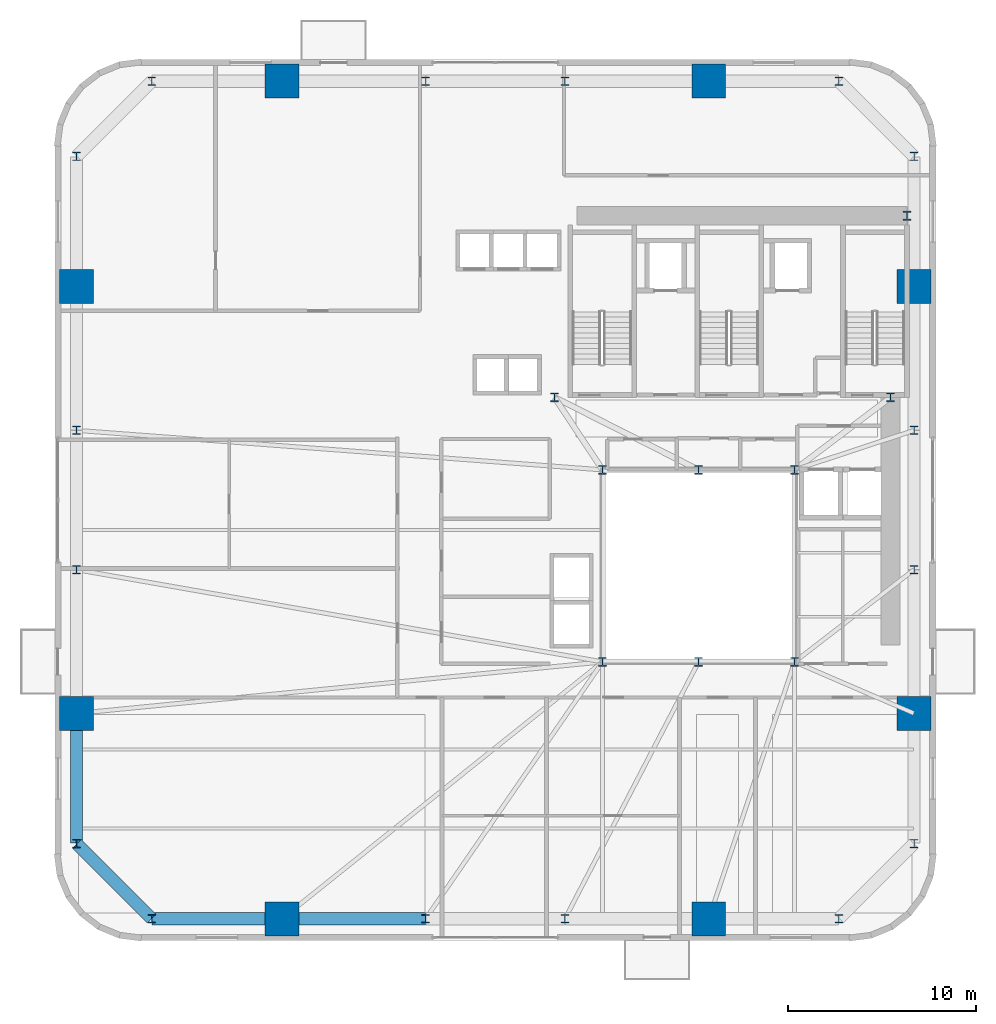
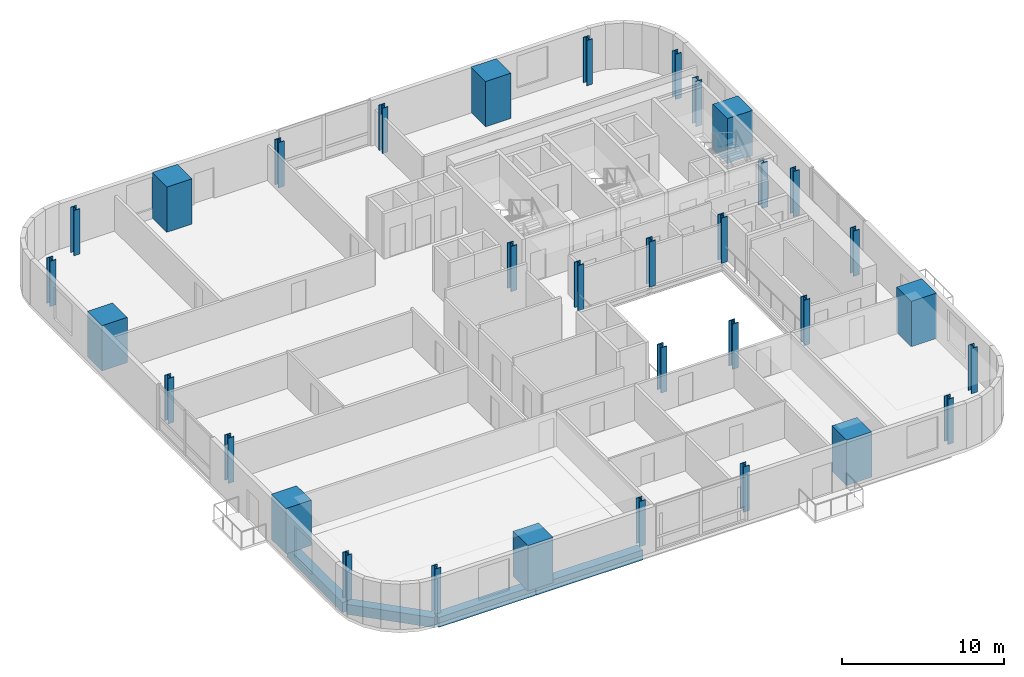
# One storey, part 1 of 13: 33 columns, 4 beams.
"""IFC4 building model written with IfcOpenShell, lengths in metres."""

from ifc_helpers import new_model, si_unit, direction, frame, origin, origin_2d, place, context, subcontext, project, spatial, rectangle, i_section, extrude, source, transform, mapped, material, material_profile, profile_set, type_object, element, save


model = new_model("IFC4")

# Units and contexts
model_context = context("Model", 3, precision=1e-05, world=origin(), true_north=direction((0.0, 1.0)))
body_context = subcontext(model_context, "Body", "Model", "MODEL_VIEW")
ifc_project = project(units=[si_unit("LENGTHUNIT", "METRE"), si_unit("AREAUNIT", "SQUARE_METRE"), si_unit("VOLUMEUNIT", "CUBIC_METRE"), si_unit("PLANEANGLEUNIT", "RADIAN"), si_unit("MASSUNIT", "GRAM", prefix="KILO")], contexts=[model_context])

# Site, building, storey
site_placement = place(None, origin())
site = spatial("IfcSite", under=ifc_project, at=site_placement, CompositionType="ELEMENT")
building_placement = place(site_placement, origin())
building = spatial("IfcBuilding", under=site, at=building_placement, Name="Vardaveli Station Tower", CompositionType="ELEMENT")
storey_placement = place(building_placement, frame((0.0, 0.0, 67.75)))
storey = spatial("IfcBuildingStorey", under=building, at=storey_placement, Name="L17", CompositionType="ELEMENT", Elevation=67.75)

# Columns
ifc_material_1 = material(Name="Structural steel S460M", Category="steel")
ifc_material_profile_1 = material_profile(ifc_material_1, i_section(OverallWidth=0.427978515625, OverallDepth=0.48095703125, WebThickness=0.03955078125, FlangeThickness=0.0634765625, FilletRadius=0.014892578125, at=origin_2d()), Name="HD 400x677")
ifc_profile_set_1 = profile_set([ifc_material_profile_1], Name="Structural steel S460M")
column_type_1 = type_object("IfcColumnType", Name="COL-HD677", PredefinedType="COLUMN", material=ifc_profile_set_1)
shared_shape_1 = source(origin(), body_context, "Body", "SweptSolid", [
    extrude(i_section(OverallWidth=0.427978515625, OverallDepth=0.48095703125, WebThickness=0.03955078125, FlangeThickness=0.0634765625, FilletRadius=0.014892578125, at=origin_2d()), origin(), (0.0, 0.0, 1.0), 3.409912109375),
])
for number, where, z_axis, x_axis, name in (
    (1, (31.199951171875, 16.60009765625, 0.0), (0.0, 0.0, 1.0), (1.0, 0.0, 0.0), "COL-L17-AC1"),
    (2, (36.300048828125, 16.60009765625, 0.0), (0.0, 0.0, 1.0), (1.0, 0.0, 0.0), "COL-L17-AC2"),
    (3, (41.39990234375, 16.60009765625, 0.0), (0.0, 0.0, 1.0), (1.0, 0.0, 0.0), "COL-L17-AC3"),
    (4, (41.39990234375, 26.800048828125, 0.0), (0.0, 0.0, 1.0), (1.0, 0.0, 0.0), "COL-L17-AC4"),
    (5, (36.300048828125, 26.800048828125, 0.0), (0.0, 0.0, 1.0), (1.0, 0.0, 0.0), "COL-L17-AC5"),
    (6, (31.199951171875, 26.800048828125, 0.0), (0.0, 0.0, 1.0), (1.0, 0.0, 0.0), "COL-L17-AC6"),
    (7, (28.64990234375, 30.64990234375, 0.0), (0.0, 0.0, 1.0), (1.0, 0.0, 0.0), "COL-L17-CC1"),
    (8, (46.5, 30.64990234375, 0.0), (0.0, 0.0, 1.0), (1.0, 0.0, 0.0), "COL-L17-CC2"),
    (9, (47.3701171875, 40.300048828125, 0.0), (0.0, 0.0, 1.0), (1.0, 0.0, 0.0), "COL-L17-CC3"),
):
    element("IfcColumn", number, at=place(storey_placement, frame(where, z_axis=z_axis, x_axis=x_axis)), inside=storey, type_object=column_type_1, Name=name, PredefinedType="COLUMN", context=body_context, shape_type="MappedRepresentation", body=[
        mapped(shared_shape_1, transform((0.0, 0.0, 0.0), scale=1.0)),
    ])
ifc_material_2 = material(Name="Concrete C70/85", Category="concrete")
ifc_material_profile_2 = material_profile(ifc_material_2, rectangle(XDim=1.800048828125, YDim=1.800048828125, at=origin_2d()), Name="MC 1800x1800")
ifc_profile_set_2 = profile_set([ifc_material_profile_2], Name="Concrete C70/85")
column_type_2 = type_object("IfcColumnType", Name="COL-MC-1800", PredefinedType="COLUMN", material=ifc_profile_set_2)
shared_shape_2 = source(origin(), body_context, "Body", "SweptSolid", [
    extrude(rectangle(XDim=1.800048828125, YDim=1.800048828125, at=origin_2d()), origin(), (0.0, 0.0, 1.0), 3.409912109375),
])
for number, where, z_axis, x_axis, name in (
    (10, (14.159912109375, 2.949951171875, 0.0), (0.0, 0.0, 1.0), (1.0, 0.0, 0.0), "COL-L17-MC1"),
    (11, (36.840087890625, 2.949951171875, 0.0), (0.0, 0.0, 1.0), (1.0, 0.0, 0.0), "COL-L17-MC2"),
    (12, (47.75, 13.860107421875, 0.0), (0.0, 0.0, 1.0), (1.0, 0.0, 0.0), "COL-L17-MC3"),
    (13, (47.75, 36.5400390625, 0.0), (0.0, 0.0, 1.0), (1.0, 0.0, 0.0), "COL-L17-MC4"),
    (14, (36.840087890625, 47.449951171875, 0.0), (0.0, 0.0, 1.0), (1.0, 0.0, 0.0), "COL-L17-MC5"),
    (15, (14.159912109375, 47.449951171875, 0.0), (0.0, 0.0, 1.0), (1.0, 0.0, 0.0), "COL-L17-MC6"),
    (16, (3.25, 36.5400390625, 0.0), (0.0, 0.0, 1.0), (1.0, 0.0, 0.0), "COL-L17-MC7"),
    (17, (3.25, 13.860107421875, 0.0), (0.0, 0.0, 1.0), (1.0, 0.0, 0.0), "COL-L17-MC8"),
):
    element("IfcColumn", number, at=place(storey_placement, frame(where, z_axis=z_axis, x_axis=x_axis)), inside=storey, type_object=column_type_2, Name=name, PredefinedType="COLUMN", context=body_context, shape_type="MappedRepresentation", body=[
        mapped(shared_shape_2, transform((0.0, 0.0, 0.0), scale=1.0)),
    ])
ifc_material_profile_3 = material_profile(ifc_material_1, i_section(OverallWidth=0.4189453125, OverallDepth=0.448974609375, WebThickness=0.030517578125, FlangeThickness=0.04833984375, FilletRadius=0.014892578125, at=origin_2d()), Name="HD 400x509")
ifc_profile_set_3 = profile_set([ifc_material_profile_3], Name="Structural steel S460M")
column_type_3 = type_object("IfcColumnType", Name="COL-HD509", PredefinedType="COLUMN", material=ifc_profile_set_3)
shared_shape_3 = source(origin(), body_context, "Body", "SweptSolid", [
    extrude(i_section(OverallWidth=0.4189453125, OverallDepth=0.448974609375, WebThickness=0.030517578125, FlangeThickness=0.04833984375, FilletRadius=0.014892578125, at=origin_2d()), origin(), (0.0, 0.0, 1.0), 3.409912109375),
])
for number, where, z_axis, x_axis, name in (
    (18, (7.25, 2.949951171875, 0.0), (0.0, 0.0, 1.0), (1.0, 0.0, 0.0), "COL-L17-PC01"),
    (19, (21.800048828125, 2.949951171875, 0.0), (0.0, 0.0, 1.0), (1.0, 0.0, 0.0), "COL-L17-PC02"),
    (20, (29.199951171875, 2.949951171875, 0.0), (0.0, 0.0, 1.0), (1.0, 0.0, 0.0), "COL-L17-PC03"),
    (21, (43.75, 2.949951171875, 0.0), (0.0, 0.0, 1.0), (1.0, 0.0, 0.0), "COL-L17-PC04"),
    (22, (47.75, 6.949951171875, 0.0), (0.0, 0.0, 1.0), (1.0, 0.0, 0.0), "COL-L17-PC05"),
    (23, (47.75, 21.5, 0.0), (0.0, 0.0, 1.0), (1.0, 0.0, 0.0), "COL-L17-PC06"),
    (24, (47.75, 28.89990234375, 0.0), (0.0, 0.0, 1.0), (1.0, 0.0, 0.0), "COL-L17-PC07"),
    (25, (47.75, 43.449951171875, 0.0), (0.0, 0.0, 1.0), (1.0, 0.0, 0.0), "COL-L17-PC08"),
    (26, (43.75, 47.449951171875, 0.0), (0.0, 0.0, 1.0), (1.0, 0.0, 0.0), "COL-L17-PC09"),
    (27, (29.199951171875, 47.449951171875, 0.0), (0.0, 0.0, 1.0), (1.0, 0.0, 0.0), "COL-L17-PC10"),
    (28, (21.800048828125, 47.449951171875, 0.0), (0.0, 0.0, 1.0), (1.0, 0.0, 0.0), "COL-L17-PC11"),
    (29, (7.25, 47.449951171875, 0.0), (0.0, 0.0, 1.0), (1.0, 0.0, 0.0), "COL-L17-PC12"),
    (30, (3.25, 43.449951171875, 0.0), (0.0, 0.0, 1.0), (1.0, 0.0, 0.0), "COL-L17-PC13"),
    (31, (3.25, 28.89990234375, 0.0), (0.0, 0.0, 1.0), (1.0, 0.0, 0.0), "COL-L17-PC14"),
    (32, (3.25, 21.5, 0.0), (0.0, 0.0, 1.0), (1.0, 0.0, 0.0), "COL-L17-PC15"),
    (33, (3.25, 6.949951171875, 0.0), (0.0, 0.0, 1.0), (1.0, 0.0, 0.0), "COL-L17-PC16"),
):
    element("IfcColumn", number, at=place(storey_placement, frame(where, z_axis=z_axis, x_axis=x_axis)), inside=storey, type_object=column_type_3, Name=name, PredefinedType="COLUMN", context=body_context, shape_type="MappedRepresentation", body=[
        mapped(shared_shape_3, transform((0.0, 0.0, 0.0), scale=1.0)),
    ])

# Beams
ifc_material_3 = material(Name="Precast concrete C45/55", Category="concrete")
ifc_material_profile_4 = material_profile(ifc_material_3, rectangle(XDim=0.64990234375, YDim=0.75, at=origin_2d()), Name="LPB 650x750")
ifc_profile_set_4 = profile_set([ifc_material_profile_4], Name="Precast concrete C45/55")
beam_type = type_object("IfcBeamType", Name="BM-LPB-750", PredefinedType="BEAM", material=ifc_profile_set_4)
shared_shape_4 = source(origin(), body_context, "Body", "SweptSolid", [
    extrude(rectangle(XDim=0.64990234375, YDim=0.75, at=origin_2d()), origin(), (0.0, 0.0, 1.0), 7.60009765625),
])
beam_1_placement = place(storey_placement, frame((14.179931640625, 2.949951171875, -0.614990234375), z_axis=(1.0, 0.0, 0.0), x_axis=(0.0, 1.0, 0.0)))
element("IfcBeam", 34, at=beam_1_placement, inside=storey, type_object=beam_type, Name="RBM-L17-01", PredefinedType="BEAM", context=body_context, shape_type="MappedRepresentation", body=[
    mapped(shared_shape_4, transform((0.0, 0.0, 0.0), scale=1.0)),
])
shared_shape_5 = source(origin(), body_context, "Body", "SweptSolid", [
    extrude(rectangle(XDim=0.64990234375, YDim=0.75, at=origin_2d()), origin(), (0.0, 0.0, 1.0), 6.869873046875),
])
beam_2_placement = place(storey_placement, frame((7.27001953125, 2.949951171875, -0.614990234375), z_axis=(1.0, 0.0, 0.0), x_axis=(0.0, 1.0, 0.0)))
element("IfcBeam", 35, at=beam_2_placement, inside=storey, type_object=beam_type, Name="RBM-L17-24", PredefinedType="BEAM", context=body_context, shape_type="MappedRepresentation", body=[
    mapped(shared_shape_5, transform((0.0, 0.0, 0.0), scale=1.0)),
])
shared_shape_6 = source(origin(), body_context, "Body", "SweptSolid", [
    extrude(rectangle(XDim=0.64990234375, YDim=0.75, at=origin_2d()), origin(), (0.0, 0.0, 1.0), 5.61669921875),
])
beam_3_placement = place(storey_placement, frame((3.26416015625, 6.935791015625, -0.614990234375), z_axis=(0.707106781187, -0.707106781187, 0.0), x_axis=(0.707106781187, 0.707106781187, 0.0)))
element("IfcBeam", 36, at=beam_3_placement, inside=storey, type_object=beam_type, Name="RBM-L17-23", PredefinedType="BEAM", context=body_context, shape_type="MappedRepresentation", body=[
    mapped(shared_shape_6, transform((0.0, 0.0, 0.0), scale=1.0)),
])
shared_shape_7 = source(origin(), body_context, "Body", "SweptSolid", [
    extrude(rectangle(XDim=0.64990234375, YDim=0.75, at=origin_2d()), origin(), (0.0, 0.0, 1.0), 6.8701171875),
])
beam_4_placement = place(storey_placement, frame((3.25, 13.840087890625, -0.614990234375), z_axis=(0.0, -1.0, 0.0), x_axis=(1.0, 0.0, 0.0)))
element("IfcBeam", 37, at=beam_4_placement, inside=storey, type_object=beam_type, Name="RBM-L17-22", PredefinedType="BEAM", context=body_context, shape_type="MappedRepresentation", body=[
    mapped(shared_shape_7, transform((0.0, 0.0, 0.0), scale=1.0)),
])

save(model, "model.ifc")
